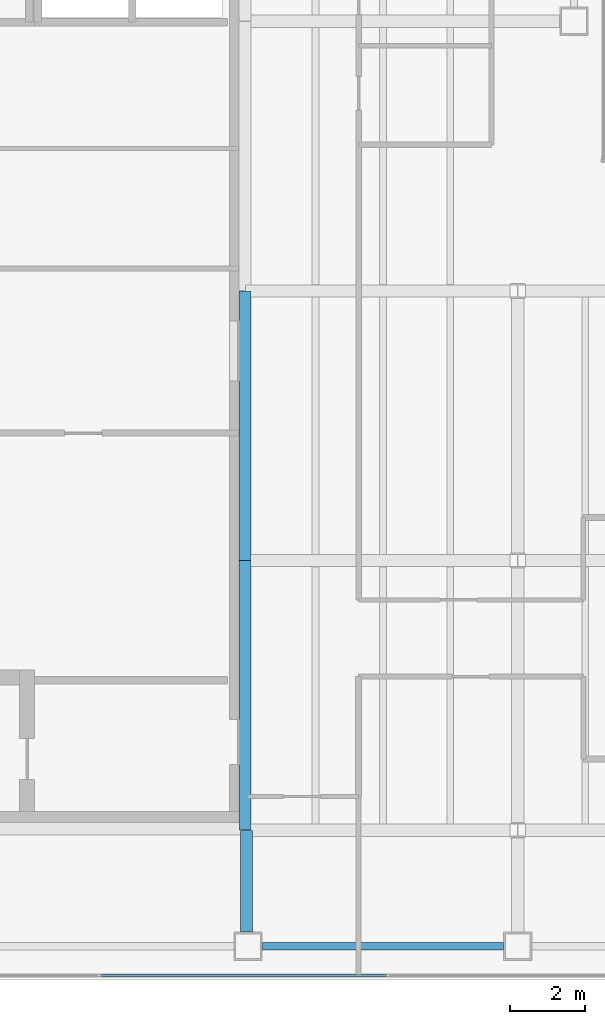
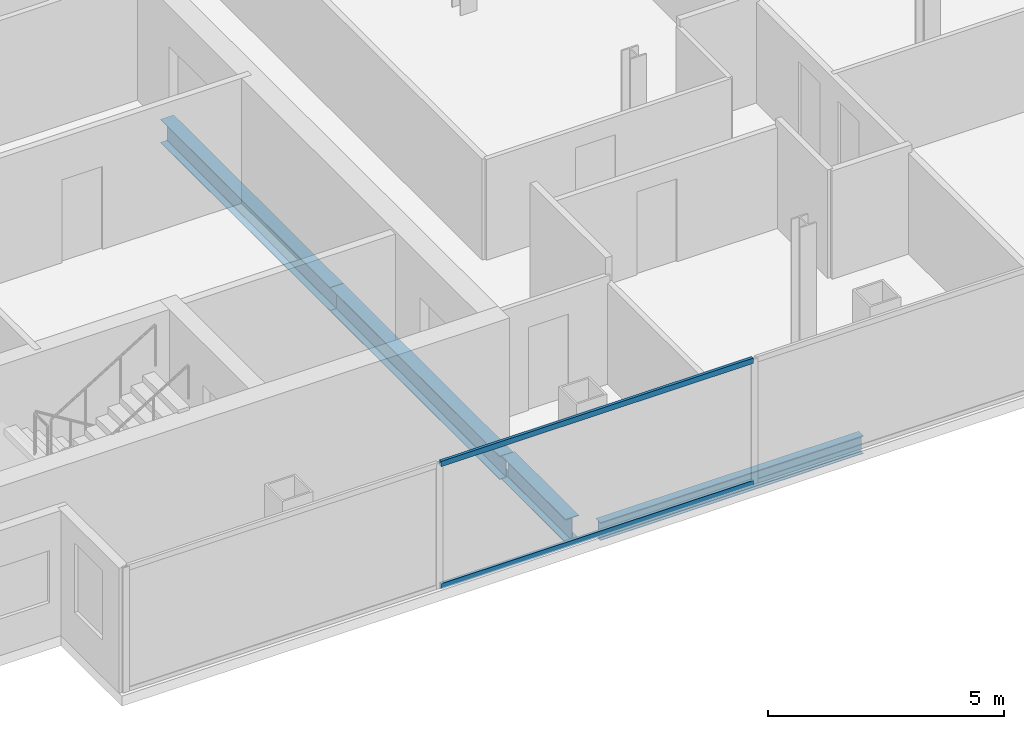
# One storey, part 3 of 23: 4 beams, 2 members, 1 element without a shape of its own.
"""IFC4 building model written with IfcOpenShell, lengths in metres."""

import ifcopenshell
import ifcopenshell.guid

model = None  # the IFC model being written
_history = None  # IfcOwnerHistory: only IFC2X3 demands one
_inside = {}  # id of a spatial element -> (the spatial element, [elements in it])
_under = {}  # id of a project, library or spatial element -> (it, [spatial elements below it])
_declared = {}  # id of a project -> (the project, [libraries it declares])
_typed = {}  # id of a type object -> (the type object, [elements of that type])
_made_of = {}  # id of a material, layer set ... -> (it, [elements and type objects made of it])


def new_model(schema):
    """Start an empty IFC model of exactly this schema.

    Asked for "IFC4X3", IfcOpenShell would pick the latest addendum, in which some entities
    have other attributes; the version numbers below select the first issue.
    IFC2X3 requires an IfcOwnerHistory on every rooted entity: one is made here for all.
    """
    global model, _history
    if schema == "IFC4X3":
        model = ifcopenshell.file(schema_version=(4, 3, 0, 0))
    else:
        model = ifcopenshell.file(schema=schema)
    _inside.clear()
    _under.clear()
    _declared.clear()
    _typed.clear()
    _made_of.clear()
    _history = None
    if model.schema == "IFC2X3":
        org = make("IfcOrganization", Name="unknown")
        user = make(
            "IfcPersonAndOrganization",
            ThePerson=make("IfcPerson", FamilyName="unknown"),
            TheOrganization=org,
        )
        app = make(
            "IfcApplication",
            ApplicationDeveloper=org,
            Version="unknown",
            ApplicationFullName="unknown",
            ApplicationIdentifier="unknown",
        )
        _history = make(
            "IfcOwnerHistory",
            OwningUser=user,
            OwningApplication=app,
            ChangeAction="ADDED",
            CreationDate=0,
        )
    return model


def make(cls, **values):
    """One entity of the class cls with the attributes given. An attribute that is None is left unset."""
    return model.create_entity(
        cls, **{name: value for name, value in values.items() if value is not None}
    )


def rooted(cls, **values):
    """An entity with a GlobalId (a new one), such as an element, a storey or a relation."""
    return make(cls, GlobalId=ifcopenshell.guid.new(), OwnerHistory=_history, **values)


def si_unit(unit_type, name, prefix=None):
    """IfcSIUnit, for example si_unit("LENGTHUNIT", "METRE", prefix="MILLI")."""
    return make("IfcSIUnit", UnitType=unit_type, Prefix=prefix, Name=name)


def assignment(units):
    """IfcUnitAssignment: the units of a project."""
    return None if units is None else make("IfcUnitAssignment", Units=units)


def point(xyz):
    """IfcCartesianPoint."""
    return None if xyz is None else make("IfcCartesianPoint", Coordinates=xyz)


def direction(xyz):
    """IfcDirection."""
    return None if xyz is None else make("IfcDirection", DirectionRatios=xyz)


def frame(location, z_axis=None, x_axis=None):
    """IfcAxis2Placement3D, a coordinate frame: its origin and axes. An axis left out is left unset."""
    return make(
        "IfcAxis2Placement3D",
        Location=point(location),
        Axis=direction(z_axis),
        RefDirection=direction(x_axis),
    )


def frame_2d(location, x_axis=None):
    """IfcAxis2Placement2D, a coordinate frame in the plane: its origin and x axis."""
    return make(
        "IfcAxis2Placement2D", Location=point(location), RefDirection=direction(x_axis)
    )


def origin():
    """The frame at (0, 0, 0) with its axes left unset."""
    return frame((0.0, 0.0, 0.0))


def origin_2d():
    """The frame at (0, 0) in the plane with its x axis left unset."""
    return frame_2d((0.0, 0.0))


def place(relative_to, where):
    """IfcLocalPlacement: puts the frame where relative to a parent placement (None: the world)."""
    return make(
        "IfcLocalPlacement", PlacementRelTo=relative_to, RelativePlacement=where
    )


def context(
    kind, dimensions, precision=None, world=None, true_north=None, identifier=None
):
    """IfcGeometricRepresentationContext, for example the 3D "Model" context."""
    return make(
        "IfcGeometricRepresentationContext",
        ContextIdentifier=identifier,
        ContextType=kind,
        CoordinateSpaceDimension=dimensions,
        Precision=precision,
        WorldCoordinateSystem=world,
        TrueNorth=true_north,
    )


def subcontext(parent, identifier, kind, view, scale=None):
    """IfcGeometricRepresentationSubContext, for example "Body" below "Model"."""
    return make(
        "IfcGeometricRepresentationSubContext",
        ContextIdentifier=identifier,
        ContextType=kind,
        ParentContext=parent,
        TargetScale=scale,
        TargetView=view,
    )


def project(units=None, contexts=None):
    """IfcProject with its units and contexts."""
    return rooted(
        "IfcProject",
        Name="project",
        RepresentationContexts=contexts,
        UnitsInContext=assignment(units),
    )


def spatial(cls, under=None, at=None, **own):
    """A site, building, storey or space (cls), placed at a placement, below another one or the project."""
    s = rooted(cls, ObjectPlacement=at, **own)
    if under is not None:
        _under.setdefault(under.id(), (under, []))[1].append(s)
    return s


def profile(cls, at=None, kind="AREA", **sizes):
    """A parametric profile (cls). Its sizes go by their IFC names, for example OverallWidth=200.0."""
    return make(cls, ProfileType=kind, Position=at, **sizes)


def hollow_rectangle(**sizes):
    """IfcRectangleHollowProfileDef."""
    return profile("IfcRectangleHollowProfileDef", **sizes)


def i_section(**sizes):
    """IfcIShapeProfileDef."""
    return profile("IfcIShapeProfileDef", **sizes)


def extrude(swept, where, along, depth):
    """IfcExtrudedAreaSolid: the profile swept, set in the frame where, extruded along a direction by depth."""
    return make(
        "IfcExtrudedAreaSolid",
        SweptArea=swept,
        Position=where,
        ExtrudedDirection=direction(along),
        Depth=depth,
    )


def shape(context_of_items, identifier, shape_type, items):
    """IfcShapeRepresentation: the items that make up one representation, for example the "Body"."""
    return make(
        "IfcShapeRepresentation",
        ContextOfItems=context_of_items,
        RepresentationIdentifier=identifier,
        RepresentationType=shape_type,
        Items=items,
    )


def material(Name=None, Category=None):
    """IfcMaterial."""
    return make("IfcMaterial", Name=Name, Category=Category)


def material_profile(
    of_material, cross_section, Name=None, Category=None, Priority=None
):
    """IfcMaterialProfile: a cross section and its material."""
    return make(
        "IfcMaterialProfile",
        Name=Name,
        Material=of_material,
        Profile=cross_section,
        Priority=Priority,
        Category=Category,
    )


def profile_set(profiles, Name=None, composite=None):
    """IfcMaterialProfileSet."""
    return make(
        "IfcMaterialProfileSet",
        Name=Name,
        MaterialProfiles=profiles,
        CompositeProfile=composite,
    )


def made_of(thing, what):
    """Note that an element or type object is made of a material, layer set ...; save() writes the relation."""
    if what is not None:
        _made_of.setdefault(what.id(), (what, []))[1].append(thing)
    return thing


def type_object(cls, material=None, **own):
    """A type object (cls), such as IfcWallType, which elements share."""
    return made_of(rooted(cls, **own), material)


def element(
    cls,
    number,
    at=None,
    inside=None,
    cuts=None,
    type_object=None,
    material=None,
    context=None,
    identifier="Body",
    shape_type=None,
    held_by="IfcProductDefinitionShape",
    body=None,
    shapes=None,
    **own,
):
    """One element of the class cls, such as IfcWall. Its Tag is "e" and its number.

    at: its placement. inside: the storey or other place that contains it. cuts: it is an
    opening in that element (IfcRelVoidsElement). A single representation is given by context,
    identifier, shape_type and body (its items); several are given by shapes. held_by: the class
    of the entity that holds the representations. save() writes the other relations.
    """
    e = rooted(cls, Tag="e%d" % number, ObjectPlacement=at, **own)
    if body is not None:
        shapes = [shape(context, identifier, shape_type, body)]
    if shapes is not None:
        e.Representation = make(held_by, Representations=shapes)
    if inside is not None:
        _inside.setdefault(inside.id(), (inside, []))[1].append(e)
    if cuts is not None:
        rooted(
            "IfcRelVoidsElement", RelatingBuildingElement=cuts, RelatedOpeningElement=e
        )
    if type_object is not None:
        _typed.setdefault(type_object.id(), (type_object, []))[1].append(e)
    return made_of(e, material)


def aggregate(whole, parts):
    """IfcRelAggregates: a whole, such as a stair, and the parts it consists of."""
    return rooted("IfcRelAggregates", RelatingObject=whole, RelatedObjects=parts)


def save(model, path):
    """Write the relations noted so far, then the file.

    IfcRelAggregates (storeys below a building ...), IfcRelContainedInSpatialStructure (elements
    in a storey), IfcRelDefinesByType, IfcRelAssociatesMaterial and IfcRelDeclares: one each for
    every whole, place, type object, material and project.
    """
    for whole, parts in _under.values():
        aggregate(whole, parts)
    for where, things in _inside.values():
        rooted(
            "IfcRelContainedInSpatialStructure",
            RelatedElements=things,
            RelatingStructure=where,
        )
    for kind, things in _typed.values():
        rooted("IfcRelDefinesByType", RelatedObjects=things, RelatingType=kind)
    for what, things in _made_of.values():
        rooted("IfcRelAssociatesMaterial", RelatedObjects=things, RelatingMaterial=what)
    for by, libraries in _declared.values():
        rooted("IfcRelDeclares", RelatingContext=by, RelatedDefinitions=libraries)
    model.write(path)


model = new_model("IFC4")

# Units and contexts
model_context = context("Model", 3, precision=1e-05, world=origin(), true_north=direction((0.0, 1.0)))
body_context = subcontext(model_context, "Body", "Model", "MODEL_VIEW")
ifc_project = project(units=[si_unit("LENGTHUNIT", "METRE"), si_unit("AREAUNIT", "SQUARE_METRE"), si_unit("VOLUMEUNIT", "CUBIC_METRE"), si_unit("PLANEANGLEUNIT", "RADIAN"), si_unit("MASSUNIT", "GRAM", prefix="KILO")], contexts=[model_context])

# Site, building, storey
site_placement = place(None, origin())
site = spatial("IfcSite", under=ifc_project, at=site_placement, CompositionType="ELEMENT")
building_placement = place(site_placement, origin())
building = spatial("IfcBuilding", under=site, at=building_placement, Name="Cobrela Telecom Tower", CompositionType="ELEMENT")
storey_placement = place(building_placement, frame((0.0, 0.0, 204.75)))
storey = spatial("IfcBuildingStorey", under=building, at=storey_placement, Name="L52", CompositionType="ELEMENT", Elevation=204.75)

# Beams
ifc_material_1 = material(Name="Steel ASTM A992 Grade 50", Category="steel")
ifc_material_profile_1 = material_profile(ifc_material_1, i_section(OverallWidth=0.324951171875, OverallDepth=0.612060546875, WebThickness=0.0126953125, FlangeThickness=0.01904296875, FilletRadius=0.014892578125, at=origin_2d()), Name="W24X104")
ifc_profile_set_1 = profile_set([ifc_material_profile_1], Name="Steel ASTM A992 Grade 50")
beam_type_1 = type_object("IfcBeamType", Name="BM-GIRD-07", PredefinedType="USERDEFINED", material=ifc_profile_set_1)
beam_1_placement = place(storey_placement, frame((14.360107421875, 4.47998046875, -0.56591796875), z_axis=(0.0, 1.0, 0.0), x_axis=(-1.0, 0.0, 0.0)))
element("IfcBeam", 1, at=beam_1_placement, inside=storey, type_object=beam_type_1, Name="L52 Primary Girder Y26", ObjectType="GIRDER", PredefinedType="USERDEFINED", context=body_context, shape_type="SweptSolid", body=[
    extrude(i_section(OverallWidth=0.324951171875, OverallDepth=0.612060546875, WebThickness=0.0126953125, FlangeThickness=0.01904296875, FilletRadius=0.014892578125, at=origin_2d()), origin(), (0.0, 0.0, 1.0), 2.715087890625),
])
for number, where, z_axis, x_axis, name in (
    (2, (14.320068359375, 7.205078125, -0.56591796875), (0.0, 1.0, 0.0), (-1.0, 0.0, 0.0), "L52 Primary Girder Y27"),
    (3, (14.320068359375, 14.405029296875, -0.56591796875), (0.0, 1.0, 0.0), (-1.0, 0.0, 0.0), "L52 Primary Girder Y28"),
):
    element("IfcBeam", number, at=place(storey_placement, frame(where, z_axis=z_axis, x_axis=x_axis)), inside=storey, type_object=beam_type_1, Name=name, ObjectType="GIRDER", PredefinedType="USERDEFINED", context=body_context, shape_type="SweptSolid", body=[
        extrude(i_section(OverallWidth=0.324951171875, OverallDepth=0.612060546875, WebThickness=0.0126953125, FlangeThickness=0.01904296875, FilletRadius=0.014892578125, at=origin_2d()), origin(), (0.0, 0.0, 1.0), 7.18994140625),
    ])
ifc_material_profile_2 = material_profile(ifc_material_1, i_section(OverallWidth=0.193115234375, OverallDepth=0.467041015625, WebThickness=0.011474609375, FlangeThickness=0.01904296875, FilletRadius=0.012939453125, at=origin_2d()), Name="W18X65")
ifc_profile_set_2 = profile_set([ifc_material_profile_2], Name="Steel ASTM A992 Grade 50")
beam_type_2 = type_object("IfcBeamType", Name="BM-SPAND-05", PredefinedType="SPANDREL", material=ifc_profile_set_2)
beam_2_placement = place(storey_placement, frame((14.780029296875, 4.10009765625, -0.493408203125), z_axis=(1.0, 0.0, 0.0), x_axis=(0.0, 1.0, 0.0)))
element("IfcBeam", 4, at=beam_2_placement, inside=storey, type_object=beam_type_2, Name="L52 Perimeter Spandrel X02", PredefinedType="SPANDREL", context=body_context, shape_type="SweptSolid", body=[
    extrude(i_section(OverallWidth=0.193115234375, OverallDepth=0.467041015625, WebThickness=0.011474609375, FlangeThickness=0.01904296875, FilletRadius=0.012939453125, at=origin_2d()), origin(), (0.0, 0.0, 1.0), 6.43994140625),
])

# Curtain wall, members
ifc_material_2 = material(Name="Anodized Bronze Aluminium 6063-T6", Category="aluminium")
curtain_wall_type = type_object("IfcCurtainWallType", Name="CW-SYS-OFF-LO", PredefinedType="USERDEFINED", material=ifc_material_2)
curtain_wall_placement = place(storey_placement, origin())
curtain_wall = element("IfcCurtainWall", 5, at=curtain_wall_placement, inside=storey, type_object=curtain_wall_type, Name="L52 Unitised Bronze Curtain Wall 17", ObjectType="UNITISED CURTAIN WALL", PredefinedType="USERDEFINED")
ifc_material_profile_3 = material_profile(ifc_material_2, hollow_rectangle(XDim=0.070068359375, YDim=0.139892578125, WallThickness=0.00390625, at=origin_2d()), Name="ALU 70x140x4")
ifc_profile_set_3 = profile_set([ifc_material_profile_3], Name="Anodized Bronze Aluminium 6063-T6")
member_type = type_object("IfcMemberType", Name="CW-SYS-OFF-LO-TRN", PredefinedType="USERDEFINED", material=ifc_profile_set_3)
member_1_placement = place(storey_placement, frame((18.10693359375, 3.320068359375, 0.034912109375), z_axis=(-1.0, 0.0, 0.0), x_axis=(0.0, -1.0, 0.0)))
member_1 = element("IfcMember", 6, at=member_1_placement, type_object=member_type, Name="CW-OFF-LO transom 4.1", ObjectType="TRANSOM", PredefinedType="USERDEFINED", context=body_context, shape_type="SweptSolid", body=[
    extrude(hollow_rectangle(XDim=0.070068359375, YDim=0.139892578125, WallThickness=0.00390625, at=origin_2d()), origin(), (0.0, 0.0, 1.0), 7.64599609375),
])
member_2_placement = place(storey_placement, frame((18.10693359375, 3.320068359375, 3.205078125), z_axis=(-1.0, 0.0, 0.0), x_axis=(0.0, -1.0, 0.0)))
member_2 = element("IfcMember", 7, at=member_2_placement, type_object=member_type, Name="CW-OFF-LO transom 4.2", ObjectType="TRANSOM", PredefinedType="USERDEFINED", context=body_context, shape_type="SweptSolid", body=[
    extrude(hollow_rectangle(XDim=0.070068359375, YDim=0.139892578125, WallThickness=0.00390625, at=origin_2d()), origin(), (0.0, 0.0, 1.0), 7.64599609375),
])
aggregate(curtain_wall, [member_1, member_2])

save(model, "model.ifc")
